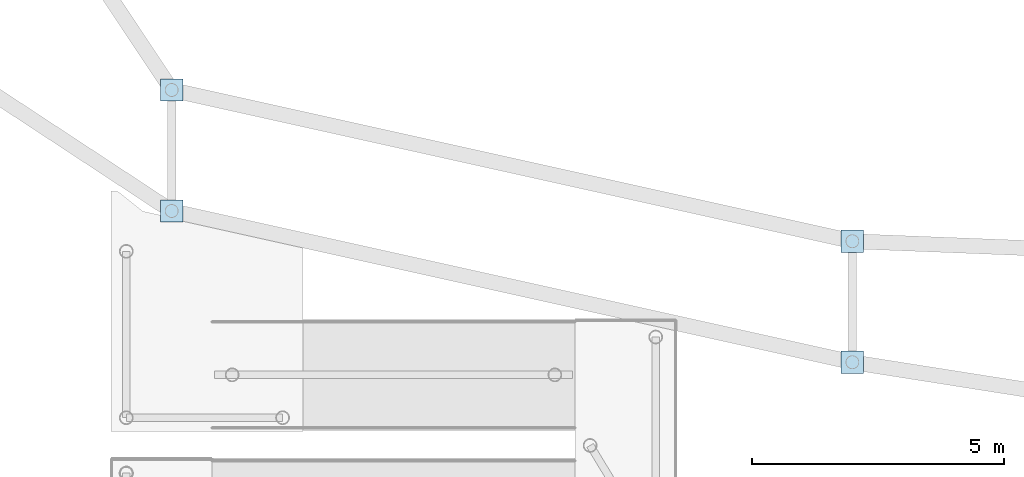
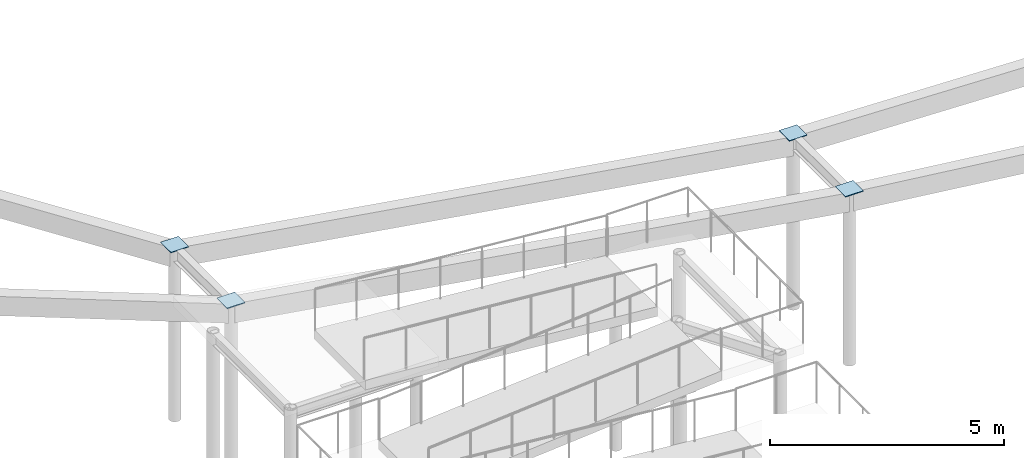
# One storey, part 85 of 108: 4 plates.
"""IFC4 building model written with IfcOpenShell, lengths in metres."""

from ifc_helpers import new_model, si_unit, direction, frame, origin, origin_2d, place, context, subcontext, project, spatial, rectangle, extrude, material, layer, layer_set, type_object, element, save


model = new_model("IFC4")

# Units and contexts
model_context = context("Model", 3, precision=1e-05, world=origin(), true_north=direction((0.0, 1.0)))
body_context = subcontext(model_context, "Body", "Model", "MODEL_VIEW")
ifc_project = project(units=[si_unit("LENGTHUNIT", "METRE"), si_unit("AREAUNIT", "SQUARE_METRE"), si_unit("VOLUMEUNIT", "CUBIC_METRE"), si_unit("PLANEANGLEUNIT", "RADIAN"), si_unit("MASSUNIT", "GRAM", prefix="KILO")], contexts=[model_context])

# Site, building, storey
site_placement = place(None, origin())
site = spatial("IfcSite", under=ifc_project, at=site_placement, CompositionType="ELEMENT")
building_placement = place(site_placement, origin())
building = spatial("IfcBuilding", under=site, at=building_placement, Name="Tarnveldt Headland Concert Hall", CompositionType="ELEMENT")
storey_placement = place(building_placement, origin())
storey = spatial("IfcBuildingStorey", under=building, at=storey_placement, Name="L00", CompositionType="ELEMENT", Elevation=0.0)

# Plates
ifc_material = material(Name="Steel S355", Category="steel")
ifc_layer = layer(ifc_material, 0.02001953125, Name="Steel S355", Category="steel")
ifc_layer_set = layer_set([ifc_layer], Name="Steel S355")
plate_type = type_object("IfcPlateType", Name="PL-CAP440", PredefinedType="SHEET", material=ifc_layer_set)
for number, where, z_axis, x_axis, name in (
    (1, (125.0, 39.0, 4.510009765625), (0.0, 0.0, 1.0), (1.0, 0.0, 0.0), "Hollow column top cap plate BRP01 L00"),
    (2, (125.0, 41.39990234375, 4.510009765625), (0.0, 0.0, 1.0), (1.0, 0.0, 0.0), "Hollow column top cap plate BRP02 L00"),
    (3, (138.5, 36.0, 4.510009765625), (0.0, 0.0, 1.0), (1.0, 0.0, 0.0), "Hollow column top cap plate BRP03 L00"),
    (4, (138.5, 38.39990234375, 4.510009765625), (0.0, 0.0, 1.0), (1.0, 0.0, 0.0), "Hollow column top cap plate BRP04 L00"),
):
    element("IfcPlate", number, at=place(storey_placement, frame(where, z_axis=z_axis, x_axis=x_axis)), inside=storey, type_object=plate_type, Name=name, PredefinedType="SHEET", context=body_context, shape_type="SweptSolid", body=[
        extrude(rectangle(XDim=0.43994140625, YDim=0.43994140625, at=origin_2d()), origin(), (0.0, 0.0, 1.0), 0.02001953125),
    ])

save(model, "model.ifc")
